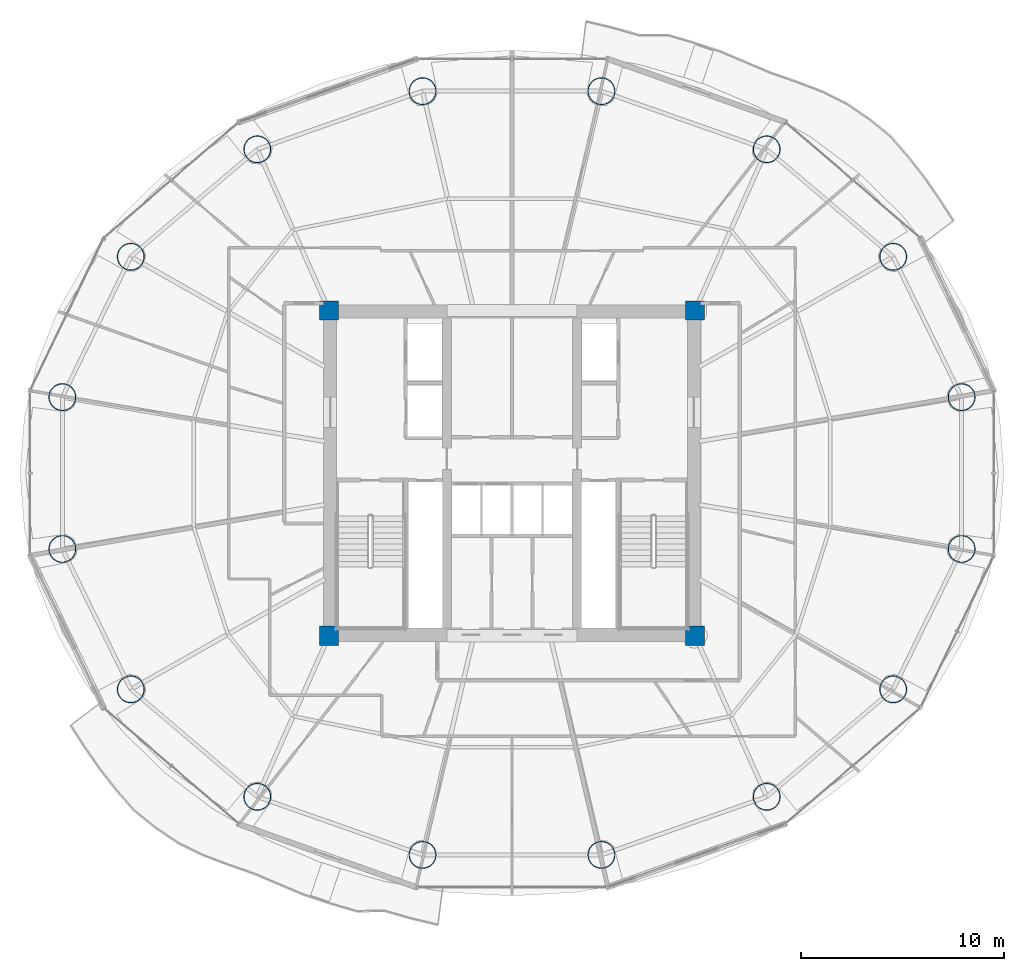
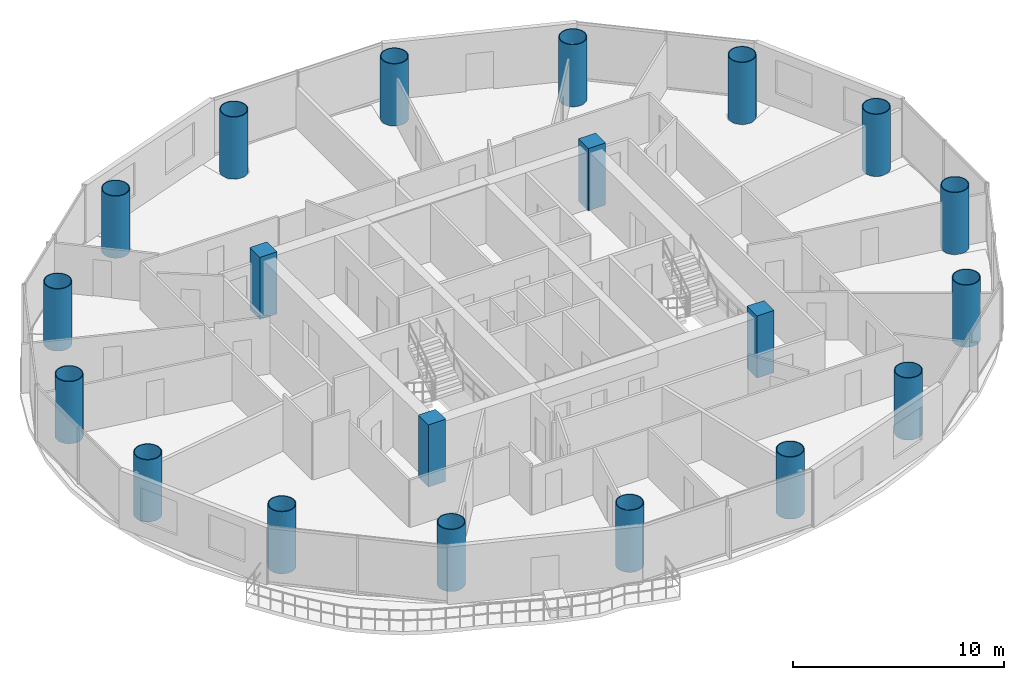
# One storey, part 1 of 26: 20 columns.
"""IFC4 building model written with IfcOpenShell, lengths in metres."""

from ifc_helpers import new_model, si_unit, direction, frame, origin, origin_2d, place, context, subcontext, project, spatial, rectangle, hollow_circle, extrude, material, material_profile, profile_set, type_object, element, save


model = new_model("IFC4")

# Units and contexts
model_context = context("Model", 3, precision=1e-05, world=origin(), true_north=direction((-0.2419218956, 0.970295726276)))
body_context = subcontext(model_context, "Body", "Model", "MODEL_VIEW")
ifc_project = project(units=[si_unit("LENGTHUNIT", "METRE"), si_unit("AREAUNIT", "SQUARE_METRE"), si_unit("VOLUMEUNIT", "CUBIC_METRE"), si_unit("PLANEANGLEUNIT", "RADIAN"), si_unit("MASSUNIT", "GRAM", prefix="KILO")], contexts=[model_context])

# Site, building, storey
site_placement = place(None, origin())
site = spatial("IfcSite", under=ifc_project, at=site_placement, CompositionType="ELEMENT")
building_placement = place(site_placement, origin())
building = spatial("IfcBuilding", under=site, at=building_placement, Name="Cobrevalo Terracotta Tower", CompositionType="ELEMENT")
storey_placement = place(building_placement, frame((0.0, 0.0, 135.39990234375)))
storey = spatial("IfcBuildingStorey", under=building, at=storey_placement, Name="L35", CompositionType="ELEMENT", Elevation=135.39990234375)

# Columns
ifc_material_1 = material(Name="Steel S355", Category="steel")
ifc_material_profile_1 = material_profile(ifc_material_1, hollow_circle(Radius=0.675048828125, WallThickness=0.0419921875, at=origin_2d()), Name="CHS 1350x42")
ifc_profile_set_1 = profile_set([ifc_material_profile_1], Name="Steel S355")
column_type_1 = type_object("IfcColumnType", Name="Structural Column CHS 1350x42 (Steel S355)", PredefinedType="COLUMN", material=ifc_profile_set_1)
for number, where, z_axis, x_axis, name in (
    (1, (60.11669921875, 30.535888671875, 0.0), (0.0, 0.0, 1.0), (1.0, 0.0, 0.0), "L35 composite megacolumn MC01"),
    (2, (56.749755859375, 37.439208984375, 0.0), (0.0, 0.0, 1.0), (1.0, 0.0, 0.0), "L35 composite megacolumn MC02"),
    (3, (50.528076171875, 42.72265625, 0.0), (0.0, 0.0, 1.0), (1.0, 0.0, 0.0), "L35 composite megacolumn MC03"),
    (4, (42.399169921875, 45.58203125, 0.0), (0.0, 0.0, 1.0), (1.0, 0.0, 0.0), "L35 composite megacolumn MC04"),
    (5, (33.600830078125, 45.58203125, 0.0), (0.0, 0.0, 1.0), (1.0, 0.0, 0.0), "L35 composite megacolumn MC05"),
    (6, (25.471923828125, 42.72265625, 0.0), (0.0, 0.0, 1.0), (1.0, 0.0, 0.0), "L35 composite megacolumn MC06"),
    (7, (19.250244140625, 37.439208984375, 0.0), (0.0, 0.0, 1.0), (1.0, 0.0, 0.0), "L35 composite megacolumn MC07"),
    (8, (15.88330078125, 30.535888671875, 0.0), (0.0, 0.0, 1.0), (1.0, 0.0, 0.0), "L35 composite megacolumn MC08"),
    (9, (15.88330078125, 23.06396484375, 0.0), (0.0, 0.0, 1.0), (1.0, 0.0, 0.0), "L35 composite megacolumn MC09"),
    (10, (19.250244140625, 16.160888671875, 0.0), (0.0, 0.0, 1.0), (1.0, 0.0, 0.0), "L35 composite megacolumn MC10"),
    (11, (25.471923828125, 10.87744140625, 0.0), (0.0, 0.0, 1.0), (1.0, 0.0, 0.0), "L35 composite megacolumn MC11"),
    (12, (33.600830078125, 8.01806640625, 0.0), (0.0, 0.0, 1.0), (1.0, 0.0, 0.0), "L35 composite megacolumn MC12"),
    (13, (42.399169921875, 8.01806640625, 0.0), (0.0, 0.0, 1.0), (1.0, 0.0, 0.0), "L35 composite megacolumn MC13"),
    (14, (50.528076171875, 10.87744140625, 0.0), (0.0, 0.0, 1.0), (1.0, 0.0, 0.0), "L35 composite megacolumn MC14"),
    (15, (56.749755859375, 16.160888671875, 0.0), (0.0, 0.0, 1.0), (1.0, 0.0, 0.0), "L35 composite megacolumn MC15"),
    (16, (60.11669921875, 23.06396484375, 0.0), (0.0, 0.0, 1.0), (1.0, 0.0, 0.0), "L35 composite megacolumn MC16"),
):
    element("IfcColumn", number, at=place(storey_placement, frame(where, z_axis=z_axis, x_axis=x_axis)), inside=storey, type_object=column_type_1, Name=name, PredefinedType="COLUMN", context=body_context, shape_type="SweptSolid", body=[
        extrude(hollow_circle(Radius=0.675048828125, WallThickness=0.0419921875, at=origin_2d()), origin(), (0.0, 0.0, 1.0), 3.60009765625),
    ])
ifc_material_2 = material(Name="Concrete C55", Category="concrete")
ifc_material_profile_2 = material_profile(ifc_material_2, rectangle(XDim=0.949951171875, YDim=0.949951171875, at=origin_2d()), Name="RC COL 950x950")
ifc_profile_set_2 = profile_set([ifc_material_profile_2], Name="Concrete C55")
column_type_2 = type_object("IfcColumnType", Name="Structural Column RC COL 950x950 (Concrete C55)", PredefinedType="COLUMN", material=ifc_profile_set_2)
for number, where, z_axis, x_axis, name in (
    (17, (29.0, 18.800048828125, 0.0), (0.0, 0.0, 1.0), (1.0, 0.0, 0.0), "L35 core corner column CC1"),
    (18, (47.0, 18.800048828125, 0.0), (0.0, 0.0, 1.0), (1.0, 0.0, 0.0), "L35 core corner column CC2"),
    (19, (47.0, 34.800048828125, 0.0), (0.0, 0.0, 1.0), (1.0, 0.0, 0.0), "L35 core corner column CC3"),
    (20, (29.0, 34.800048828125, 0.0), (0.0, 0.0, 1.0), (1.0, 0.0, 0.0), "L35 core corner column CC4"),
):
    element("IfcColumn", number, at=place(storey_placement, frame(where, z_axis=z_axis, x_axis=x_axis)), inside=storey, type_object=column_type_2, Name=name, PredefinedType="COLUMN", context=body_context, shape_type="SweptSolid", body=[
        extrude(rectangle(XDim=0.949951171875, YDim=0.949951171875, at=origin_2d()), origin(), (0.0, 0.0, 1.0), 3.60009765625),
    ])

save(model, "model.ifc")
